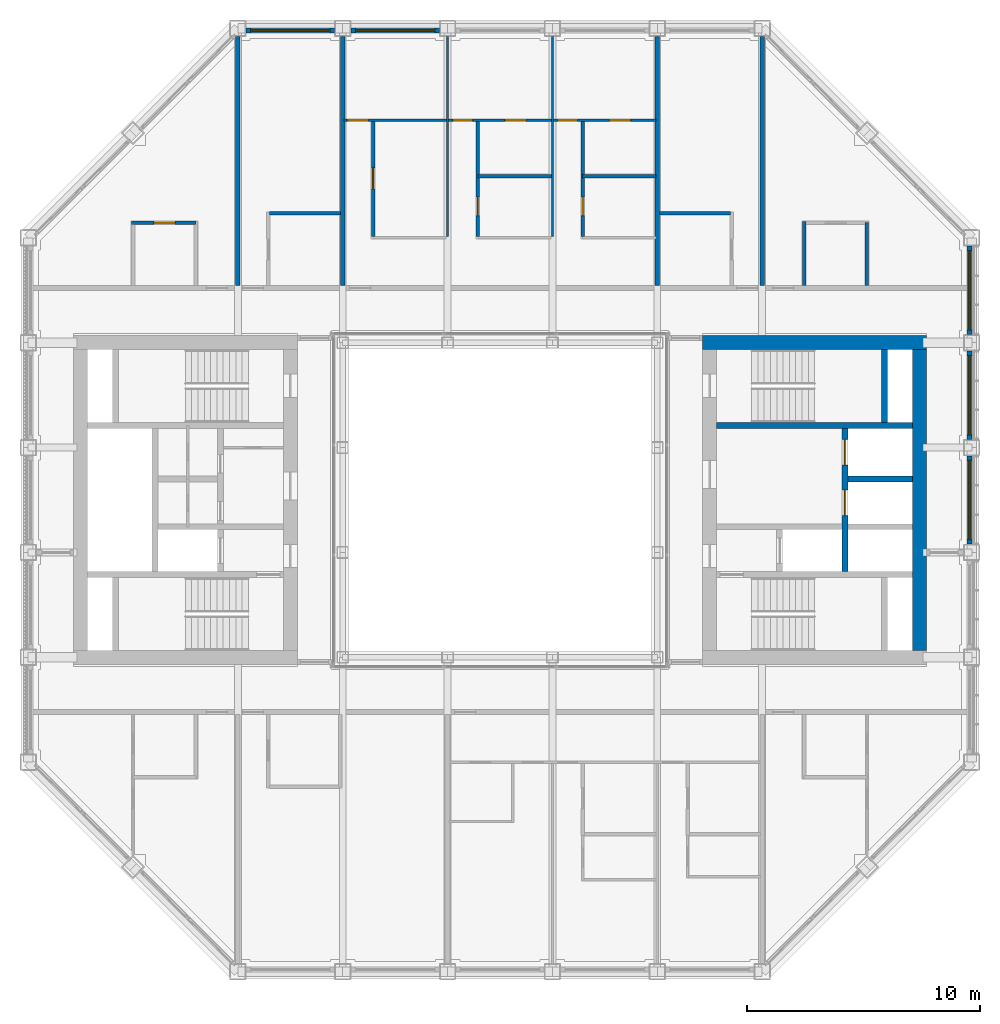
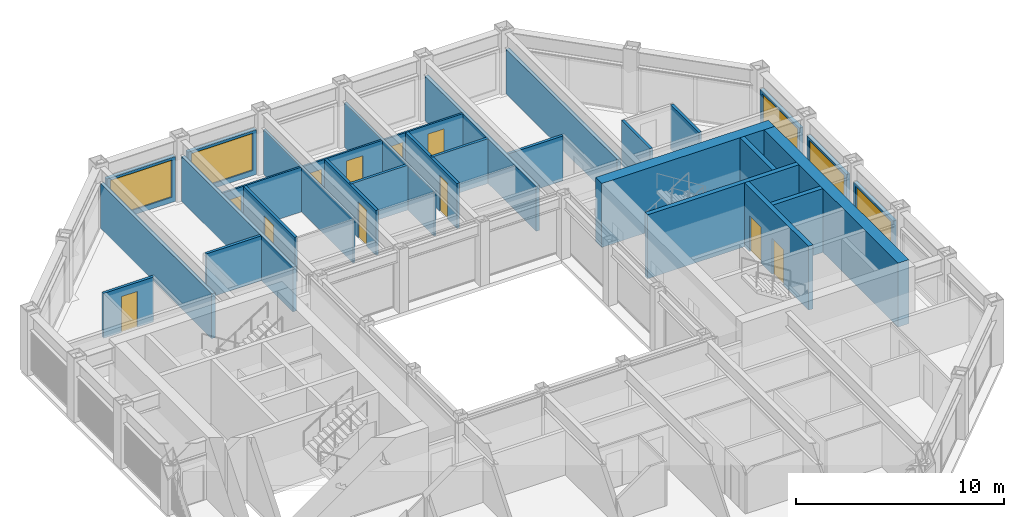
# One storey, part 12 of 17: 30 walls, 11 doors, 5 windows, 16 openings.
"""IFC4 building model written with IfcOpenShell, lengths in metres."""

from ifc_helpers import new_model, si_unit, direction, frame, frame_2d, origin, place, context, subcontext, project, spatial, rectangle, extrude, material, layer, layer_set, type_object, element, fill, save


model = new_model("IFC4")

# Units and contexts
model_context = context("Model", 3, precision=1e-05, world=origin(), true_north=direction((0.0, 1.0)))
body_context = subcontext(model_context, "Body", "Model", "MODEL_VIEW")
ifc_project = project(units=[si_unit("LENGTHUNIT", "METRE"), si_unit("AREAUNIT", "SQUARE_METRE"), si_unit("VOLUMEUNIT", "CUBIC_METRE"), si_unit("PLANEANGLEUNIT", "RADIAN"), si_unit("MASSUNIT", "GRAM", prefix="KILO")], contexts=[model_context])

# Site, building, storey
site_placement = place(None, origin())
site = spatial("IfcSite", under=ifc_project, at=site_placement, CompositionType="ELEMENT")
building_placement = place(site_placement, origin())
building = spatial("IfcBuilding", under=site, at=building_placement, Name="Msasa Ring Tower", CompositionType="ELEMENT")
storey_placement = place(building_placement, frame((0.0, 0.0, 234.550048828125)))
storey = spatial("IfcBuildingStorey", under=building, at=storey_placement, Name="L61", CompositionType="ELEMENT", Elevation=234.550048828125)

# Walls
ifc_material_1 = material(Name="Concrete C60/75", Category="concrete")
ifc_layer_1 = layer(ifc_material_1, 0.60009765625)
ifc_layer_set_1 = layer_set([ifc_layer_1], Name="CW3 CORE WALL 600")
wall_type_1 = type_object("IfcWallType", Name="CW3 CORE WALL 600", PredefinedType="SHEAR", material=ifc_layer_set_1)
wall_1_placement = place(storey_placement, frame((8.699951171875, 6.75, 0.0), z_axis=(0.0, 0.0, 1.0), x_axis=(1.0, 0.0, 0.0)))
element("IfcWall", 1, at=wall_1_placement, inside=storey, type_object=wall_type_1, Name="E core wall N L61", PredefinedType="SHEAR", context=body_context, shape_type="SweptSolid", body=[
    extrude(rectangle(XDim=9.60009765625, YDim=0.60009765625, at=frame_2d((4.800048828125, 0.0))), origin(), (0.0, 0.0, 1.0), 3.75),
])
wall_2_placement = place(storey_placement, frame((18.0, -6.449951171875, 0.0), z_axis=(0.0, 0.0, 1.0), x_axis=(0.0, 1.0, 0.0)))
element("IfcWall", 2, at=wall_2_placement, inside=storey, type_object=wall_type_1, Name="E core wall E L61", PredefinedType="SHEAR", context=body_context, shape_type="SweptSolid", body=[
    extrude(rectangle(XDim=12.89990234375, YDim=0.60009765625, at=frame_2d((6.449951171875, 0.0))), origin(), (0.0, 0.0, 1.0), 3.75),
])
ifc_material_2 = material(Name="Concrete C60/75", Category="concrete")
ifc_layer_2 = layer(ifc_material_2, 0.25)
ifc_layer_set_2 = layer_set([ifc_layer_2], Name="CW4 CORE INNER WALL 250")
wall_type_2 = type_object("IfcWallType", Name="CW4 CORE INNER WALL 250", PredefinedType="SHEAR", material=ifc_layer_set_2)
wall_3_placement = place(storey_placement, frame((9.300048828125, 3.199951171875, 0.0), z_axis=(0.0, 0.0, 1.0), x_axis=(1.0, 0.0, 0.0)))
element("IfcWall", 3, at=wall_3_placement, inside=storey, type_object=wall_type_2, Name="E core wall STAIRB L61", PredefinedType="SHEAR", context=body_context, shape_type="SweptSolid", body=[
    extrude(rectangle(XDim=8.39990234375, YDim=0.25, at=frame_2d((4.199951171875, 0.0))), origin(), (0.0, 0.0, 1.0), 3.75),
])
wall_4_placement = place(storey_placement, frame((16.5, 3.324951171875, 0.0), z_axis=(0.0, 0.0, 1.0), x_axis=(0.0, 1.0, 0.0)))
element("IfcWall", 4, at=wall_4_placement, inside=storey, type_object=wall_type_2, Name="E core wall RISERB L61", PredefinedType="SHEAR", context=body_context, shape_type="SweptSolid", body=[
    extrude(rectangle(XDim=3.125, YDim=0.25, at=frame_2d((1.5625, 0.0))), origin(), (0.0, 0.0, 1.0), 3.75),
])

# Wall, openings, doors
wall_5_placement = place(storey_placement, frame((14.800048828125, -3.074951171875, 0.0), z_axis=(0.0, 0.0, 1.0), x_axis=(0.0, 1.0, 0.0)))
wall_5 = element("IfcWall", 5, at=wall_5_placement, inside=storey, type_object=wall_type_2, Name="E core wall SHAFT L61", PredefinedType="SHEAR", context=body_context, shape_type="SweptSolid", body=[
    extrude(rectangle(XDim=6.14990234375, YDim=0.25, at=frame_2d((3.074951171875, 0.0))), origin(), (0.0, 0.0, 1.0), 3.75),
])
opening_1_placement = place(wall_5_placement, frame((2.39990234375, 0.0, 0.0)))
opening_1 = element("IfcOpeningElement", 6, at=opening_1_placement, cuts=wall_5, Name="Opening LD1", PredefinedType="OPENING", context=body_context, shape_type="SweptSolid", body=[
    extrude(rectangle(XDim=1.10009765625, YDim=2.10009765625, at=frame_2d((0.550048828125, 1.050048828125))), frame((0.0, 0.135009765625, 0.0), z_axis=(0.0, -1.0, 0.0), x_axis=(1.0, 0.0, 0.0)), (0.0, 0.0, 1.0), 0.27001953125),
])
opening_2_placement = place(wall_5_placement, frame((4.574951171875, 0.0, 0.0)))
opening_2 = element("IfcOpeningElement", 7, at=opening_2_placement, cuts=wall_5, Name="Opening LD1", PredefinedType="OPENING", context=body_context, shape_type="SweptSolid", body=[
    extrude(rectangle(XDim=1.10009765625, YDim=2.10009765625, at=frame_2d((0.550048828125, 1.050048828125))), frame((0.0, 0.135009765625, 0.0), z_axis=(0.0, -1.0, 0.0), x_axis=(1.0, 0.0, 0.0)), (0.0, 0.0, 1.0), 0.27001953125),
])
ifc_material_3 = material(Name="Stainless steel lift landing door", Category="steel")
door_type_1 = type_object("IfcDoorType", Name="LD1 LIFT LANDING DOOR 1100x2100", OperationType="DOUBLE_DOOR_SLIDING", PredefinedType="DOOR", material=ifc_material_3)
door_1_placement = place(opening_1_placement, origin())
door_1 = element("IfcDoor", 8, at=door_1_placement, inside=storey, type_object=door_type_1, Name="Lift landing door PL-H1 L61", OperationType="DOUBLE_DOOR_SLIDING", OverallHeight=2.10009765625, OverallWidth=1.10009765625, PredefinedType="DOOR", context=body_context, shape_type="SweptSolid", body=[
    extrude(rectangle(XDim=1.10009765625, YDim=2.10009765625, at=frame_2d((0.550048828125, 1.050048828125))), frame((0.0, 0.02490234375, 0.0), z_axis=(0.0, -1.0, 0.0), x_axis=(1.0, 0.0, 0.0)), (0.0, 0.0, 1.0), 0.050048828125),
])
fill(opening_1, door_1)
door_2_placement = place(opening_2_placement, origin())
door_2 = element("IfcDoor", 9, at=door_2_placement, inside=storey, type_object=door_type_1, Name="Lift landing door PL-H2 L61", OperationType="DOUBLE_DOOR_SLIDING", OverallHeight=2.10009765625, OverallWidth=1.10009765625, PredefinedType="DOOR", context=body_context, shape_type="SweptSolid", body=[
    extrude(rectangle(XDim=1.10009765625, YDim=2.10009765625, at=frame_2d((0.550048828125, 1.050048828125))), frame((0.0, 0.02490234375, 0.0), z_axis=(0.0, -1.0, 0.0), x_axis=(1.0, 0.0, 0.0)), (0.0, 0.0, 1.0), 0.050048828125),
])
fill(opening_2, door_2)

# Wall
wall_6_placement = place(storey_placement, frame((14.925048828125, 0.89990234375, 0.0), z_axis=(0.0, 0.0, 1.0), x_axis=(1.0, 0.0, 0.0)))
element("IfcWall", 10, at=wall_6_placement, inside=storey, type_object=wall_type_2, Name="E core wall HLIFT L61", PredefinedType="SHEAR", context=body_context, shape_type="SweptSolid", body=[
    extrude(rectangle(XDim=2.77490234375, YDim=0.25, at=frame_2d((1.387451171875, 0.0))), origin(), (0.0, 0.0, 1.0), 3.75),
])

# Wall, opening, window
ifc_material_4 = material(Name="Terracotta rainscreen on blockwork", Category="masonry")
ifc_layer_3 = layer(ifc_material_4, 0.199951171875)
ifc_layer_set_3 = layer_set([ifc_layer_3], Name="FW1 TERRACOTTA-LINED INFILL BAY WALL 200")
wall_type_3 = type_object("IfcWallType", Name="FW1 TERRACOTTA-LINED INFILL BAY WALL 200", PredefinedType="SOLIDWALL", material=ifc_layer_set_3)
wall_7_placement = place(storey_placement, frame((20.14990234375, -1.89501953125, 0.0), z_axis=(0.0, 0.0, 1.0), x_axis=(0.0, 1.0, 0.0)))
wall_7 = element("IfcWall", 11, at=wall_7_placement, inside=storey, type_object=wall_type_3, Name="Infill bay wall E L61 09", PredefinedType="SOLIDWALL", context=body_context, shape_type="SweptSolid", body=[
    extrude(rectangle(XDim=3.7900390625, YDim=0.199951171875, at=frame_2d((1.89501953125, 0.0))), origin(), (0.0, 0.0, 1.0), 2.62890625),
])
opening_3_placement = place(wall_7_placement, frame((0.195068359375, 0.0, 0.300048828125)))
opening_3 = element("IfcOpeningElement", 12, at=opening_3_placement, cuts=wall_7, Name="Opening WN3", PredefinedType="OPENING", context=body_context, shape_type="SweptSolid", body=[
    extrude(rectangle(XDim=3.39990234375, YDim=2.178955078125, at=frame_2d((1.699951171875, 1.08935546875))), frame((0.0, 0.10986328125, 0.0), z_axis=(0.0, -1.0, 0.0), x_axis=(1.0, 0.0, 0.0)), (0.0, 0.0, 1.0), 0.219970703125),
])
ifc_material_5 = material(Name="Aluminium frame with clear glass", Category="aluminium")
window_type = type_object("IfcWindowType", Name="WN3 SUITE WINDOW 3400x2179", PartitioningType="SINGLE_PANEL", PredefinedType="WINDOW", material=ifc_material_5)
window_1_placement = place(opening_3_placement, origin())
window_1 = element("IfcWindow", 13, at=window_1_placement, inside=storey, type_object=window_type, Name="Window E L61 09", OverallHeight=2.178955078125, OverallWidth=3.39990234375, PartitioningType="SINGLE_PANEL", PredefinedType="WINDOW", context=body_context, shape_type="SweptSolid", body=[
    extrude(rectangle(XDim=3.39990234375, YDim=2.178955078125, at=frame_2d((1.699951171875, 1.08935546875))), frame((0.0, 0.030029296875, 0.0), z_axis=(0.0, -1.0, 0.0), x_axis=(1.0, 0.0, 0.0)), (0.0, 0.0, 1.0), 0.06005859375),
])
fill(opening_3, window_1)

wall_8_placement = place(storey_placement, frame((20.14990234375, 2.60498046875, 0.0), z_axis=(0.0, 0.0, 1.0), x_axis=(0.0, 1.0, 0.0)))
wall_8 = element("IfcWall", 14, at=wall_8_placement, inside=storey, type_object=wall_type_3, Name="Infill bay wall E L61 10", PredefinedType="SOLIDWALL", context=body_context, shape_type="SweptSolid", body=[
    extrude(rectangle(XDim=3.7900390625, YDim=0.199951171875, at=frame_2d((1.89501953125, 0.0))), origin(), (0.0, 0.0, 1.0), 2.62890625),
])
opening_4_placement = place(wall_8_placement, frame((0.195068359375, 0.0, 0.300048828125)))
opening_4 = element("IfcOpeningElement", 15, at=opening_4_placement, cuts=wall_8, Name="Opening WN3", PredefinedType="OPENING", context=body_context, shape_type="SweptSolid", body=[
    extrude(rectangle(XDim=3.39990234375, YDim=2.178955078125, at=frame_2d((1.699951171875, 1.08935546875))), frame((0.0, 0.10986328125, 0.0), z_axis=(0.0, -1.0, 0.0), x_axis=(1.0, 0.0, 0.0)), (0.0, 0.0, 1.0), 0.219970703125),
])
window_2_placement = place(opening_4_placement, origin())
window_2 = element("IfcWindow", 16, at=window_2_placement, inside=storey, type_object=window_type, Name="Window E L61 10", OverallHeight=2.178955078125, OverallWidth=3.39990234375, PartitioningType="SINGLE_PANEL", PredefinedType="WINDOW", context=body_context, shape_type="SweptSolid", body=[
    extrude(rectangle(XDim=3.39990234375, YDim=2.178955078125, at=frame_2d((1.699951171875, 1.08935546875))), frame((0.0, 0.030029296875, 0.0), z_axis=(0.0, -1.0, 0.0), x_axis=(1.0, 0.0, 0.0)), (0.0, 0.0, 1.0), 0.06005859375),
])
fill(opening_4, window_2)

wall_9_placement = place(storey_placement, frame((20.14990234375, 7.10498046875, 0.0), z_axis=(0.0, 0.0, 1.0), x_axis=(0.0, 1.0, 0.0)))
wall_9 = element("IfcWall", 17, at=wall_9_placement, inside=storey, type_object=wall_type_3, Name="Infill bay wall E L61 11", PredefinedType="SOLIDWALL", context=body_context, shape_type="SweptSolid", body=[
    extrude(rectangle(XDim=3.7900390625, YDim=0.199951171875, at=frame_2d((1.89501953125, 0.0))), origin(), (0.0, 0.0, 1.0), 2.62890625),
])
opening_5_placement = place(wall_9_placement, frame((0.195068359375, 0.0, 0.300048828125)))
opening_5 = element("IfcOpeningElement", 18, at=opening_5_placement, cuts=wall_9, Name="Opening WN3", PredefinedType="OPENING", context=body_context, shape_type="SweptSolid", body=[
    extrude(rectangle(XDim=3.39990234375, YDim=2.178955078125, at=frame_2d((1.699951171875, 1.08935546875))), frame((0.0, 0.10986328125, 0.0), z_axis=(0.0, -1.0, 0.0), x_axis=(1.0, 0.0, 0.0)), (0.0, 0.0, 1.0), 0.219970703125),
])
window_3_placement = place(opening_5_placement, origin())
window_3 = element("IfcWindow", 19, at=window_3_placement, inside=storey, type_object=window_type, Name="Window E L61 11", OverallHeight=2.178955078125, OverallWidth=3.39990234375, PartitioningType="SINGLE_PANEL", PredefinedType="WINDOW", context=body_context, shape_type="SweptSolid", body=[
    extrude(rectangle(XDim=3.39990234375, YDim=2.178955078125, at=frame_2d((1.699951171875, 1.08935546875))), frame((0.0, 0.030029296875, 0.0), z_axis=(0.0, -1.0, 0.0), x_axis=(1.0, 0.0, 0.0)), (0.0, 0.0, 1.0), 0.06005859375),
])
fill(opening_5, window_3)

wall_10_placement = place(storey_placement, frame((-10.89501953125, 20.14990234375, 0.0), z_axis=(0.0, 0.0, 1.0), x_axis=(1.0, 0.0, 0.0)))
wall_10 = element("IfcWall", 20, at=wall_10_placement, inside=storey, type_object=wall_type_3, Name="Infill bay wall N L61 14", PredefinedType="SOLIDWALL", context=body_context, shape_type="SweptSolid", body=[
    extrude(rectangle(XDim=3.7900390625, YDim=0.199951171875, at=frame_2d((1.89501953125, 0.0))), origin(), (0.0, 0.0, 1.0), 2.62890625),
])
opening_6_placement = place(wall_10_placement, frame((0.195068359375, 0.0, 0.300048828125)))
opening_6 = element("IfcOpeningElement", 21, at=opening_6_placement, cuts=wall_10, Name="Opening WN3", PredefinedType="OPENING", context=body_context, shape_type="SweptSolid", body=[
    extrude(rectangle(XDim=3.39990234375, YDim=2.178955078125, at=frame_2d((1.699951171875, 1.08935546875))), frame((0.0, 0.10986328125, 0.0), z_axis=(0.0, -1.0, 0.0), x_axis=(1.0, 0.0, 0.0)), (0.0, 0.0, 1.0), 0.219970703125),
])
window_4_placement = place(opening_6_placement, origin())
window_4 = element("IfcWindow", 22, at=window_4_placement, inside=storey, type_object=window_type, Name="Window N L61 14", OverallHeight=2.178955078125, OverallWidth=3.39990234375, PartitioningType="SINGLE_PANEL", PredefinedType="WINDOW", context=body_context, shape_type="SweptSolid", body=[
    extrude(rectangle(XDim=3.39990234375, YDim=2.178955078125, at=frame_2d((1.699951171875, 1.08935546875))), frame((0.0, 0.030029296875, 0.0), z_axis=(0.0, -1.0, 0.0), x_axis=(1.0, 0.0, 0.0)), (0.0, 0.0, 1.0), 0.06005859375),
])
fill(opening_6, window_4)

wall_11_placement = place(storey_placement, frame((-6.39501953125, 20.14990234375, 0.0), z_axis=(0.0, 0.0, 1.0), x_axis=(1.0, 0.0, 0.0)))
wall_11 = element("IfcWall", 23, at=wall_11_placement, inside=storey, type_object=wall_type_3, Name="Infill bay wall N L61 15", PredefinedType="SOLIDWALL", context=body_context, shape_type="SweptSolid", body=[
    extrude(rectangle(XDim=3.7900390625, YDim=0.199951171875, at=frame_2d((1.89501953125, 0.0))), origin(), (0.0, 0.0, 1.0), 2.62890625),
])
opening_7_placement = place(wall_11_placement, frame((0.195068359375, 0.0, 0.300048828125)))
opening_7 = element("IfcOpeningElement", 24, at=opening_7_placement, cuts=wall_11, Name="Opening WN3", PredefinedType="OPENING", context=body_context, shape_type="SweptSolid", body=[
    extrude(rectangle(XDim=3.39990234375, YDim=2.178955078125, at=frame_2d((1.699951171875, 1.08935546875))), frame((0.0, 0.10986328125, 0.0), z_axis=(0.0, -1.0, 0.0), x_axis=(1.0, 0.0, 0.0)), (0.0, 0.0, 1.0), 0.219970703125),
])
window_5_placement = place(opening_7_placement, origin())
window_5 = element("IfcWindow", 25, at=window_5_placement, inside=storey, type_object=window_type, Name="Window N L61 15", OverallHeight=2.178955078125, OverallWidth=3.39990234375, PartitioningType="SINGLE_PANEL", PredefinedType="WINDOW", context=body_context, shape_type="SweptSolid", body=[
    extrude(rectangle(XDim=3.39990234375, YDim=2.178955078125, at=frame_2d((1.699951171875, 1.08935546875))), frame((0.0, 0.030029296875, 0.0), z_axis=(0.0, -1.0, 0.0), x_axis=(1.0, 0.0, 0.0)), (0.0, 0.0, 1.0), 0.06005859375),
])
fill(opening_7, window_5)

# Wall, opening, door
ifc_material_6 = material(Name="Gypsum board on steel studs", Category="steel")
ifc_layer_4 = layer(ifc_material_6, 0.10009765625)
ifc_layer_set_4 = layer_set([ifc_layer_4], Name="PT2 STUD PARTITION 100")
wall_type_4 = type_object("IfcWallType", Name="PT2 STUD PARTITION 100", PredefinedType="PARTITIONING", material=ifc_layer_set_4)
wall_12_placement = place(storey_placement, frame((-6.68994140625, 16.300048828125, 0.0), z_axis=(0.0, 0.0, 1.0), x_axis=(1.0, 0.0, 0.0)))
wall_12 = element("IfcWall", 26, at=wall_12_placement, inside=storey, type_object=wall_type_4, Name="Partition L61-JN01SY0", PredefinedType="PARTITIONING", context=body_context, shape_type="SweptSolid", body=[
    extrude(rectangle(XDim=4.389892578125, YDim=0.10009765625, at=frame_2d((2.19482421875, 0.0))), origin(), (0.0, 0.0, 1.0), 2.62890625),
])
opening_8_placement = place(wall_12_placement, frame((0.139892578125, 0.0, 0.0)))
opening_8 = element("IfcOpeningElement", 27, at=opening_8_placement, cuts=wall_12, Name="Opening SD-001", PredefinedType="OPENING", context=body_context, shape_type="SweptSolid", body=[
    extrude(rectangle(XDim=0.89990234375, YDim=2.10009765625, at=frame_2d((0.449951171875, 1.050048828125))), frame((0.0, 0.06005859375, 0.0), z_axis=(0.0, -1.0, 0.0), x_axis=(1.0, 0.0, 0.0)), (0.0, 0.0, 1.0), 0.1201171875),
])
ifc_material_7 = material(Name="Timber door leaf in a steel frame", Category="steel")
door_type_2 = type_object("IfcDoorType", Name="D22 INTERNAL HALL DOOR 900x2100", OperationType="SINGLE_SWING_LEFT", PredefinedType="DOOR", material=ifc_material_7)
door_3_placement = place(opening_8_placement, origin())
door_3 = element("IfcDoor", 28, at=door_3_placement, inside=storey, type_object=door_type_2, Name="Door L61-JN01L", OperationType="SINGLE_SWING_LEFT", OverallHeight=2.10009765625, OverallWidth=0.89990234375, PredefinedType="DOOR", context=body_context, shape_type="SweptSolid", body=[
    extrude(rectangle(XDim=0.89990234375, YDim=2.10009765625, at=frame_2d((0.449951171875, 1.050048828125))), frame((0.0, 0.02490234375, 0.0), z_axis=(0.0, -1.0, 0.0), x_axis=(1.0, 0.0, 0.0)), (0.0, 0.0, 1.0), 0.050048828125),
])
fill(opening_8, door_3)

# Wall
wall_13_placement = place(storey_placement, frame((-2.25, 11.300048828125, 0.0), z_axis=(0.0, 0.0, 1.0), x_axis=(0.0, 1.0, 0.0)))
element("IfcWall", 29, at=wall_13_placement, inside=storey, type_object=wall_type_4, Name="Partition L61-JN01P1", PredefinedType="PARTITIONING", context=body_context, shape_type="SweptSolid", body=[
    extrude(rectangle(XDim=8.599853515625, YDim=0.10009765625, at=frame_2d((4.2998046875, 0.0))), origin(), (0.0, 0.0, 1.0), 2.62890625),
])

# Wall, openings, doors
wall_14_placement = place(storey_placement, frame((-2.199951171875, 16.300048828125, 0.0), z_axis=(0.0, 0.0, 1.0), x_axis=(1.0, 0.0, 0.0)))
wall_14 = element("IfcWall", 30, at=wall_14_placement, inside=storey, type_object=wall_type_4, Name="Partition L61-JN01SY1", PredefinedType="PARTITIONING", context=body_context, shape_type="SweptSolid", body=[
    extrude(rectangle(XDim=4.39990234375, YDim=0.10009765625, at=frame_2d((2.199951171875, 0.0))), origin(), (0.0, 0.0, 1.0), 2.62890625),
])
opening_9_placement = place(wall_14_placement, frame((0.175048828125, 0.0, 0.0)))
opening_9 = element("IfcOpeningElement", 31, at=opening_9_placement, cuts=wall_14, Name="Opening SD-002", PredefinedType="OPENING", context=body_context, shape_type="SweptSolid", body=[
    extrude(rectangle(XDim=0.85009765625, YDim=2.10009765625, at=frame_2d((0.425048828125, 1.050048828125))), frame((0.0, 0.06005859375, 0.0), z_axis=(0.0, -1.0, 0.0), x_axis=(1.0, 0.0, 0.0)), (0.0, 0.0, 1.0), 0.1201171875),
])
opening_10_placement = place(wall_14_placement, frame((2.409912109375, 0.0, 0.0)))
opening_10 = element("IfcOpeningElement", 32, at=opening_10_placement, cuts=wall_14, Name="Opening SD-003", PredefinedType="OPENING", context=body_context, shape_type="SweptSolid", body=[
    extrude(rectangle(XDim=0.89990234375, YDim=2.10009765625, at=frame_2d((0.449951171875, 1.050048828125))), frame((0.0, 0.06005859375, 0.0), z_axis=(0.0, -1.0, 0.0), x_axis=(1.0, 0.0, 0.0)), (0.0, 0.0, 1.0), 0.1201171875),
])
ifc_material_8 = material(Name="Timber door leaf in a steel frame", Category="steel")
door_type_3 = type_object("IfcDoorType", Name="D14 BEDROOM DOOR 850x2100", OperationType="SINGLE_SWING_LEFT", PredefinedType="DOOR", material=ifc_material_8)
door_4_placement = place(opening_9_placement, origin())
door_4 = element("IfcDoor", 33, at=door_4_placement, inside=storey, type_object=door_type_3, Name="Door L61-JN01R1", OperationType="SINGLE_SWING_LEFT", OverallHeight=2.10009765625, OverallWidth=0.85009765625, PredefinedType="DOOR", context=body_context, shape_type="SweptSolid", body=[
    extrude(rectangle(XDim=0.85009765625, YDim=2.10009765625, at=frame_2d((0.425048828125, 1.050048828125))), frame((0.0, 0.02490234375, 0.0), z_axis=(0.0, -1.0, 0.0), x_axis=(1.0, 0.0, 0.0)), (0.0, 0.0, 1.0), 0.050048828125),
])
fill(opening_9, door_4)
ifc_material_9 = material(Name="Timber door leaf in a steel frame", Category="steel")
door_type_4 = type_object("IfcDoorType", Name="D3 BATHROOM DOOR 900x2100", OperationType="SINGLE_SWING_LEFT", PredefinedType="DOOR", material=ifc_material_9)
door_5_placement = place(opening_10_placement, origin())
door_5 = element("IfcDoor", 34, at=door_5_placement, inside=storey, type_object=door_type_4, Name="Door L61-JN01B1", OperationType="SINGLE_SWING_RIGHT", OverallHeight=2.10009765625, OverallWidth=0.89990234375, PredefinedType="DOOR", context=body_context, shape_type="SweptSolid", body=[
    extrude(rectangle(XDim=0.89990234375, YDim=2.10009765625, at=frame_2d((0.449951171875, 1.050048828125))), frame((0.0, 0.02490234375, 0.0), z_axis=(0.0, -1.0, 0.0), x_axis=(1.0, 0.0, 0.0)), (0.0, 0.0, 1.0), 0.050048828125),
])
fill(opening_10, door_5)

# Wall
wall_15_placement = place(storey_placement, frame((2.25, 11.300048828125, 0.0), z_axis=(0.0, 0.0, 1.0), x_axis=(0.0, 1.0, 0.0)))
element("IfcWall", 35, at=wall_15_placement, inside=storey, type_object=wall_type_4, Name="Partition L61-JN01P2", PredefinedType="PARTITIONING", context=body_context, shape_type="SweptSolid", body=[
    extrude(rectangle(XDim=8.599853515625, YDim=0.10009765625, at=frame_2d((4.2998046875, 0.0))), origin(), (0.0, 0.0, 1.0), 2.62890625),
])

# Wall, openings, doors
wall_16_placement = place(storey_placement, frame((2.300048828125, 16.300048828125, 0.0), z_axis=(0.0, 0.0, 1.0), x_axis=(1.0, 0.0, 0.0)))
wall_16 = element("IfcWall", 36, at=wall_16_placement, inside=storey, type_object=wall_type_4, Name="Partition L61-JN01SY2", PredefinedType="PARTITIONING", context=body_context, shape_type="SweptSolid", body=[
    extrude(rectangle(XDim=4.389892578125, YDim=0.10009765625, at=frame_2d((2.19482421875, 0.0))), origin(), (0.0, 0.0, 1.0), 2.62890625),
])
opening_11_placement = place(wall_16_placement, frame((0.175048828125, 0.0, 0.0)))
opening_11 = element("IfcOpeningElement", 37, at=opening_11_placement, cuts=wall_16, Name="Opening SD-004", PredefinedType="OPENING", context=body_context, shape_type="SweptSolid", body=[
    extrude(rectangle(XDim=0.85009765625, YDim=2.10009765625, at=frame_2d((0.425048828125, 1.050048828125))), frame((0.0, 0.06005859375, 0.0), z_axis=(0.0, -1.0, 0.0), x_axis=(1.0, 0.0, 0.0)), (0.0, 0.0, 1.0), 0.1201171875),
])
opening_12_placement = place(wall_16_placement, frame((2.409912109375, 0.0, 0.0)))
opening_12 = element("IfcOpeningElement", 38, at=opening_12_placement, cuts=wall_16, Name="Opening SD-005", PredefinedType="OPENING", context=body_context, shape_type="SweptSolid", body=[
    extrude(rectangle(XDim=0.89990234375, YDim=2.10009765625, at=frame_2d((0.449951171875, 1.050048828125))), frame((0.0, 0.06005859375, 0.0), z_axis=(0.0, -1.0, 0.0), x_axis=(1.0, 0.0, 0.0)), (0.0, 0.0, 1.0), 0.1201171875),
])
door_6_placement = place(opening_11_placement, origin())
door_6 = element("IfcDoor", 39, at=door_6_placement, inside=storey, type_object=door_type_3, Name="Door L61-JN01R2", OperationType="SINGLE_SWING_LEFT", OverallHeight=2.10009765625, OverallWidth=0.85009765625, PredefinedType="DOOR", context=body_context, shape_type="SweptSolid", body=[
    extrude(rectangle(XDim=0.85009765625, YDim=2.10009765625, at=frame_2d((0.425048828125, 1.050048828125))), frame((0.0, 0.02490234375, 0.0), z_axis=(0.0, -1.0, 0.0), x_axis=(1.0, 0.0, 0.0)), (0.0, 0.0, 1.0), 0.050048828125),
])
fill(opening_11, door_6)
door_7_placement = place(opening_12_placement, origin())
door_7 = element("IfcDoor", 40, at=door_7_placement, inside=storey, type_object=door_type_4, Name="Door L61-JN01B2", OperationType="SINGLE_SWING_RIGHT", OverallHeight=2.10009765625, OverallWidth=0.89990234375, PredefinedType="DOOR", context=body_context, shape_type="SweptSolid", body=[
    extrude(rectangle(XDim=0.89990234375, YDim=2.10009765625, at=frame_2d((0.449951171875, 1.050048828125))), frame((0.0, 0.02490234375, 0.0), z_axis=(0.0, -1.0, 0.0), x_axis=(1.0, 0.0, 0.0)), (0.0, 0.0, 1.0), 0.050048828125),
])
fill(opening_12, door_7)

# Walls
ifc_material_10 = material(Name="Dense concrete blockwork, plastered both faces", Category="masonry")
ifc_layer_5 = layer(ifc_material_10, 0.25)
ifc_layer_set_5 = layer_set([ifc_layer_5], Name="PT3 APARTMENT SEPARATING WALL 250")
wall_type_5 = type_object("IfcWallType", Name="PT3 APARTMENT SEPARATING WALL 250", PredefinedType="PARTITIONING", material=ifc_layer_set_5)
for number, where, z_axis, x_axis, name in (
    (41, (-11.25, 9.199951171875, 0.0), (0.0, 0.0, 1.0), (0.0, 1.0, 0.0), "Party wall L61-PWN-11.25"),
    (42, (-6.75, 9.199951171875, 0.0), (0.0, 0.0, 1.0), (0.0, 1.0, 0.0), "Party wall L61-PWN-6.75"),
    (43, (6.75, 9.199951171875, 0.0), (0.0, 0.0, 1.0), (0.0, 1.0, 0.0), "Party wall L61-PWN+6.75"),
    (44, (11.25, 9.199951171875, 0.0), (0.0, 0.0, 1.0), (0.0, 1.0, 0.0), "Party wall L61-PWN+11.25"),
):
    element("IfcWall", number, at=place(storey_placement, frame(where, z_axis=z_axis, x_axis=x_axis)), inside=storey, type_object=wall_type_5, Name=name, PredefinedType="PARTITIONING", context=body_context, shape_type="SweptSolid", body=[
        extrude(rectangle(XDim=10.699951171875, YDim=0.199951171875, at=frame_2d((5.35009765625, 0.0))), origin(), (0.0, 0.0, 1.0), 2.62890625),
    ])
ifc_material_11 = material(Name="Moisture-resistant board on steel studs with a concealed cistern and pipe void, tiled", Category="steel")
ifc_layer_6 = layer(ifc_material_11, 0.14990234375)
ifc_layer_set_6 = layer_set([ifc_layer_6], Name="PT4 BATHROOM WET WALL 150")
wall_type_6 = type_object("IfcWallType", Name="PT4 BATHROOM WET WALL 150", PredefinedType="PARTITIONING", material=ifc_layer_set_6)
wall_17_placement = place(storey_placement, frame((-9.89990234375, 12.300048828125, 0.0), z_axis=(0.0, 0.0, 1.0), x_axis=(1.0, 0.0, 0.0)))
element("IfcWall", 45, at=wall_17_placement, inside=storey, type_object=wall_type_6, Name="Partition L61-JN00BY", PredefinedType="PARTITIONING", context=body_context, shape_type="SweptSolid", body=[
    extrude(rectangle(XDim=3.0498046875, YDim=0.14990234375, at=frame_2d((1.52490234375, 0.0))), origin(), (0.0, 0.0, 1.0), 2.62890625),
])

# Wall, opening, door
wall_18_placement = place(storey_placement, frame((-5.449951171875, 11.300048828125, 0.0), z_axis=(0.0, 0.0, 1.0), x_axis=(0.0, 1.0, 0.0)))
wall_18 = element("IfcWall", 46, at=wall_18_placement, inside=storey, type_object=wall_type_6, Name="Partition L61-JN01SX0", PredefinedType="PARTITIONING", context=body_context, shape_type="SweptSolid", body=[
    extrude(rectangle(XDim=5.0, YDim=0.14990234375, at=frame_2d((2.5, 0.0))), origin(), (0.0, 0.0, 1.0), 2.62890625),
])
opening_13_placement = place(wall_18_placement, frame((2.050048828125, 0.0, 0.0)))
opening_13 = element("IfcOpeningElement", 47, at=opening_13_placement, cuts=wall_18, Name="Opening SD-006", PredefinedType="OPENING", context=body_context, shape_type="SweptSolid", body=[
    extrude(rectangle(XDim=0.89990234375, YDim=2.10009765625, at=frame_2d((0.449951171875, 1.050048828125))), frame((0.0, 0.0849609375, 0.0), z_axis=(0.0, -1.0, 0.0), x_axis=(1.0, 0.0, 0.0)), (0.0, 0.0, 1.0), 0.169921875),
])
door_8_placement = place(opening_13_placement, origin())
door_8 = element("IfcDoor", 48, at=door_8_placement, inside=storey, type_object=door_type_2, Name="Door L61-JN01K", OperationType="SINGLE_SWING_LEFT", OverallHeight=2.10009765625, OverallWidth=0.89990234375, PredefinedType="DOOR", context=body_context, shape_type="SweptSolid", body=[
    extrude(rectangle(XDim=0.89990234375, YDim=2.10009765625, at=frame_2d((0.449951171875, 1.050048828125))), frame((0.0, 0.02490234375, 0.0), z_axis=(0.0, -1.0, 0.0), x_axis=(1.0, 0.0, 0.0)), (0.0, 0.0, 1.0), 0.050048828125),
])
fill(opening_13, door_8)

wall_19_placement = place(storey_placement, frame((-0.949951171875, 11.300048828125, 0.0), z_axis=(0.0, 0.0, 1.0), x_axis=(0.0, 1.0, 0.0)))
wall_19 = element("IfcWall", 49, at=wall_19_placement, inside=storey, type_object=wall_type_6, Name="Partition L61-JN01SX1", PredefinedType="PARTITIONING", context=body_context, shape_type="SweptSolid", body=[
    extrude(rectangle(XDim=5.0, YDim=0.14990234375, at=frame_2d((2.5, 0.0))), origin(), (0.0, 0.0, 1.0), 2.62890625),
])
opening_14_placement = place(wall_19_placement, frame((0.89990234375, 0.0, 0.0)))
opening_14 = element("IfcOpeningElement", 50, at=opening_14_placement, cuts=wall_19, Name="Opening SD-007", PredefinedType="OPENING", context=body_context, shape_type="SweptSolid", body=[
    extrude(rectangle(XDim=0.800048828125, YDim=2.10009765625, at=frame_2d((0.39990234375, 1.050048828125))), frame((0.0, 0.0849609375, 0.0), z_axis=(0.0, -1.0, 0.0), x_axis=(1.0, 0.0, 0.0)), (0.0, 0.0, 1.0), 0.169921875),
])
ifc_material_12 = material(Name="Timber door leaf in a steel frame", Category="steel")
door_type_5 = type_object("IfcDoorType", Name="D60 DRESSING ROOM DOOR 800x2100", OperationType="SINGLE_SWING_LEFT", PredefinedType="DOOR", material=ifc_material_12)
door_9_placement = place(opening_14_placement, origin())
door_9 = element("IfcDoor", 51, at=door_9_placement, inside=storey, type_object=door_type_5, Name="Door L61-JN01W1", OperationType="SINGLE_SWING_LEFT", OverallHeight=2.10009765625, OverallWidth=0.800048828125, PredefinedType="DOOR", context=body_context, shape_type="SweptSolid", body=[
    extrude(rectangle(XDim=0.800048828125, YDim=2.10009765625, at=frame_2d((0.39990234375, 1.050048828125))), frame((0.0, 0.02490234375, 0.0), z_axis=(0.0, -1.0, 0.0), x_axis=(1.0, 0.0, 0.0)), (0.0, 0.0, 1.0), 0.050048828125),
])
fill(opening_14, door_9)

# Wall
wall_20_placement = place(storey_placement, frame((-0.949951171875, 13.89990234375, 0.0), z_axis=(0.0, 0.0, 1.0), x_axis=(1.0, 0.0, 0.0)))
element("IfcWall", 52, at=wall_20_placement, inside=storey, type_object=wall_type_6, Name="Partition L61-JN01SB1", PredefinedType="PARTITIONING", context=body_context, shape_type="SweptSolid", body=[
    extrude(rectangle(XDim=3.14990234375, YDim=0.14990234375, at=frame_2d((1.574951171875, 0.0))), origin(), (0.0, 0.0, 1.0), 2.62890625),
])

# Wall, opening, door
wall_21_placement = place(storey_placement, frame((3.550048828125, 11.300048828125, 0.0), z_axis=(0.0, 0.0, 1.0), x_axis=(0.0, 1.0, 0.0)))
wall_21 = element("IfcWall", 53, at=wall_21_placement, inside=storey, type_object=wall_type_6, Name="Partition L61-JN01SX2", PredefinedType="PARTITIONING", context=body_context, shape_type="SweptSolid", body=[
    extrude(rectangle(XDim=5.0, YDim=0.14990234375, at=frame_2d((2.5, 0.0))), origin(), (0.0, 0.0, 1.0), 2.62890625),
])
opening_15_placement = place(wall_21_placement, frame((0.89990234375, 0.0, 0.0)))
opening_15 = element("IfcOpeningElement", 54, at=opening_15_placement, cuts=wall_21, Name="Opening SD-008", PredefinedType="OPENING", context=body_context, shape_type="SweptSolid", body=[
    extrude(rectangle(XDim=0.800048828125, YDim=2.10009765625, at=frame_2d((0.39990234375, 1.050048828125))), frame((0.0, 0.0849609375, 0.0), z_axis=(0.0, -1.0, 0.0), x_axis=(1.0, 0.0, 0.0)), (0.0, 0.0, 1.0), 0.169921875),
])
door_10_placement = place(opening_15_placement, origin())
door_10 = element("IfcDoor", 55, at=door_10_placement, inside=storey, type_object=door_type_5, Name="Door L61-JN01W2", OperationType="SINGLE_SWING_LEFT", OverallHeight=2.10009765625, OverallWidth=0.800048828125, PredefinedType="DOOR", context=body_context, shape_type="SweptSolid", body=[
    extrude(rectangle(XDim=0.800048828125, YDim=2.10009765625, at=frame_2d((0.39990234375, 1.050048828125))), frame((0.0, 0.02490234375, 0.0), z_axis=(0.0, -1.0, 0.0), x_axis=(1.0, 0.0, 0.0)), (0.0, 0.0, 1.0), 0.050048828125),
])
fill(opening_15, door_10)

# Walls
wall_22_placement = place(storey_placement, frame((3.550048828125, 13.89990234375, 0.0), z_axis=(0.0, 0.0, 1.0), x_axis=(1.0, 0.0, 0.0)))
element("IfcWall", 56, at=wall_22_placement, inside=storey, type_object=wall_type_6, Name="Partition L61-JN01SB2", PredefinedType="PARTITIONING", context=body_context, shape_type="SweptSolid", body=[
    extrude(rectangle(XDim=3.139892578125, YDim=0.14990234375, at=frame_2d((1.56982421875, 0.0))), origin(), (0.0, 0.0, 1.0), 2.62890625),
])
wall_23_placement = place(storey_placement, frame((6.85009765625, 12.300048828125, 0.0), z_axis=(0.0, 0.0, 1.0), x_axis=(1.0, 0.0, 0.0)))
element("IfcWall", 57, at=wall_23_placement, inside=storey, type_object=wall_type_6, Name="Partition L61-JN02BY", PredefinedType="PARTITIONING", context=body_context, shape_type="SweptSolid", body=[
    extrude(rectangle(XDim=3.0498046875, YDim=0.14990234375, at=frame_2d((1.52490234375, 0.0))), origin(), (0.0, 0.0, 1.0), 2.62890625),
])
wall_24_placement = place(storey_placement, frame((13.050048828125, 9.199951171875, 0.0), z_axis=(0.0, 0.0, 1.0), x_axis=(0.0, 1.0, 0.0)))
element("IfcWall", 58, at=wall_24_placement, inside=storey, type_object=wall_type_6, Name="Partition L61-CSNEBX", PredefinedType="PARTITIONING", context=body_context, shape_type="SweptSolid", body=[
    extrude(rectangle(XDim=2.75, YDim=0.14990234375, at=frame_2d((1.375, 0.0))), origin(), (0.0, 0.0, 1.0), 2.62890625),
])
wall_25_placement = place(storey_placement, frame((15.75, 9.199951171875, 0.0), z_axis=(0.0, 0.0, 1.0), x_axis=(0.0, 1.0, 0.0)))
element("IfcWall", 59, at=wall_25_placement, inside=storey, type_object=wall_type_6, Name="Partition L61-CSNEBE", PredefinedType="PARTITIONING", context=body_context, shape_type="SweptSolid", body=[
    extrude(rectangle(XDim=2.699951171875, YDim=0.14990234375, at=frame_2d((1.35009765625, 0.0))), origin(), (0.0, 0.0, 1.0), 2.62890625),
])

# Wall, opening, door
wall_26_placement = place(storey_placement, frame((-15.824951171875, 11.89990234375, 0.0), z_axis=(0.0, 0.0, 1.0), x_axis=(1.0, 0.0, 0.0)))
wall_26 = element("IfcWall", 60, at=wall_26_placement, inside=storey, type_object=wall_type_6, Name="Partition L61-CSNWBY", PredefinedType="PARTITIONING", context=body_context, shape_type="SweptSolid", body=[
    extrude(rectangle(XDim=2.77490234375, YDim=0.14990234375, at=frame_2d((1.387451171875, 0.0))), origin(), (0.0, 0.0, 1.0), 2.62890625),
])
opening_16_placement = place(wall_26_placement, frame((0.97509765625, 0.0, 0.0)))
opening_16 = element("IfcOpeningElement", 61, at=opening_16_placement, cuts=wall_26, Name="Opening SD-009", PredefinedType="OPENING", context=body_context, shape_type="SweptSolid", body=[
    extrude(rectangle(XDim=0.89990234375, YDim=2.10009765625, at=frame_2d((0.449951171875, 1.050048828125))), frame((0.0, 0.0849609375, 0.0), z_axis=(0.0, -1.0, 0.0), x_axis=(1.0, 0.0, 0.0)), (0.0, 0.0, 1.0), 0.169921875),
])
door_11_placement = place(opening_16_placement, origin())
door_11 = element("IfcDoor", 62, at=door_11_placement, inside=storey, type_object=door_type_4, Name="Door L61-CSNWB1", OperationType="SINGLE_SWING_RIGHT", OverallHeight=2.10009765625, OverallWidth=0.89990234375, PredefinedType="DOOR", context=body_context, shape_type="SweptSolid", body=[
    extrude(rectangle(XDim=0.89990234375, YDim=2.10009765625, at=frame_2d((0.449951171875, 1.050048828125))), frame((0.0, 0.02490234375, 0.0), z_axis=(0.0, -1.0, 0.0), x_axis=(1.0, 0.0, 0.0)), (0.0, 0.0, 1.0), 0.050048828125),
])
fill(opening_16, door_11)

save(model, "model.ifc")
